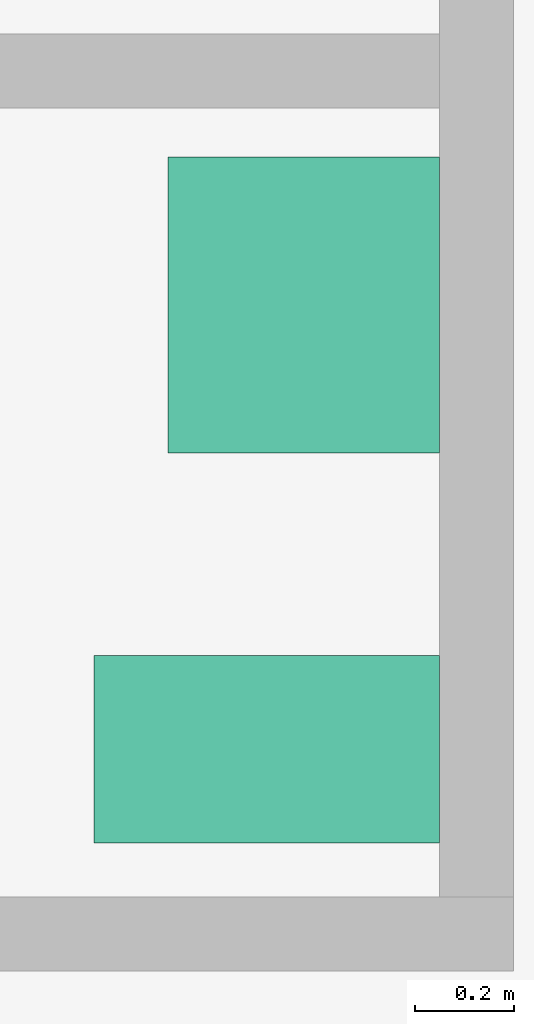
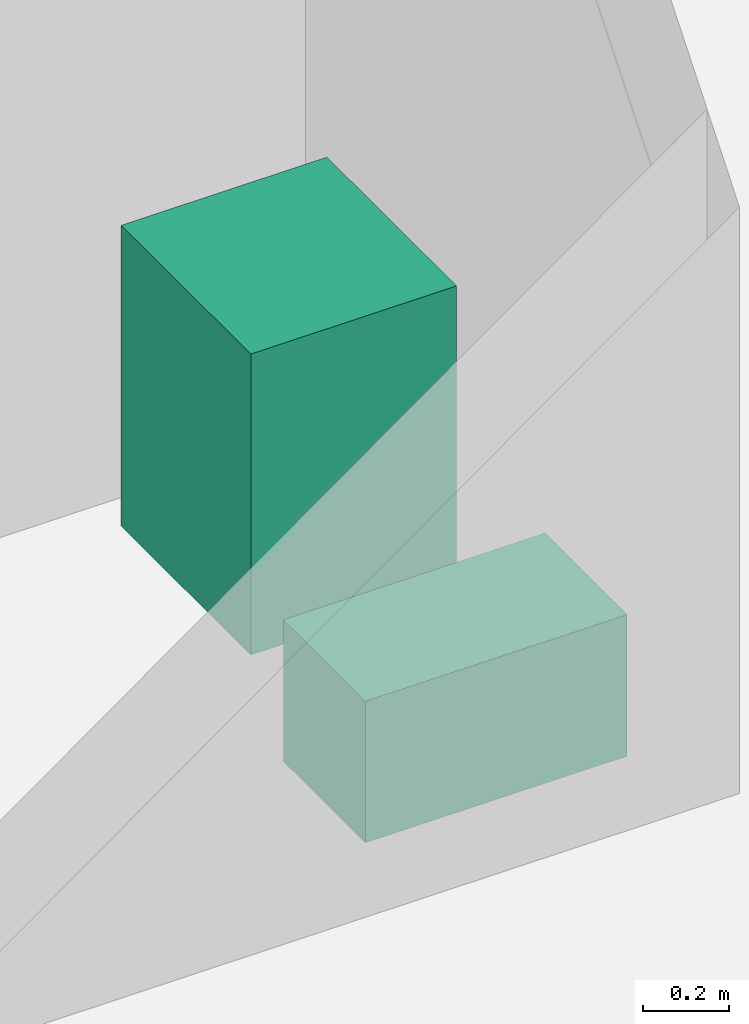
# One storey, part 15 of 15: 2 sanitary terminals.
"""IFC4 building model written with IfcOpenShell, lengths in metres."""

from ifc_helpers import new_model, si_unit, direction, frame, origin, origin_2d, place, context, subcontext, project, spatial, rectangle, extrude, material, element, save


model = new_model("IFC4")

# Units and contexts
model_context = context("Model", 3, precision=1e-05, world=origin(), true_north=direction((0.0, 1.0)))
body_context = subcontext(model_context, "Body", "Model", "MODEL_VIEW")
ifc_project = project(units=[si_unit("LENGTHUNIT", "METRE"), si_unit("AREAUNIT", "SQUARE_METRE"), si_unit("VOLUMEUNIT", "CUBIC_METRE"), si_unit("PLANEANGLEUNIT", "RADIAN"), si_unit("MASSUNIT", "GRAM", prefix="KILO")], contexts=[model_context])

# Site, building, storey
site_placement = place(None, origin())
site = spatial("IfcSite", under=ifc_project, at=site_placement, CompositionType="ELEMENT")
building_placement = place(site_placement, origin())
building = spatial("IfcBuilding", under=site, at=building_placement, Name="Kopane Lantern Tower", CompositionType="ELEMENT")
storey_placement = place(building_placement, frame((0.0, 0.0, 154.39990234375)))
storey = spatial("IfcBuildingStorey", under=building, at=storey_placement, Name="L40", CompositionType="ELEMENT", Elevation=154.39990234375)

# Sanitary terminals
ifc_material = material(Name="Vitreous china")
sanitary_terminal_1_placement = place(storey_placement, frame((34.550048828125, 28.35009765625, 0.000244140625), z_axis=(0.0, 0.0, 1.0), x_axis=(1.0, 0.0, 0.0)))
element("IfcSanitaryTerminal", 1, at=sanitary_terminal_1_placement, inside=storey, material=ifc_material, Name="WC pan L40", PredefinedType="TOILETPAN", context=body_context, shape_type="SweptSolid", body=[
    extrude(rectangle(XDim=0.699951171875, YDim=0.3798828125, at=origin_2d()), origin(), (0.0, 0.0, 1.0), 0.39990234375),
])
sanitary_terminal_2_placement = place(storey_placement, frame((34.625, 29.25, 0.0), z_axis=(0.0, 0.0, 1.0), x_axis=(1.0, 0.0, 0.0)))
element("IfcSanitaryTerminal", 2, at=sanitary_terminal_2_placement, inside=storey, material=ifc_material, Name="Wash basin L40", PredefinedType="WASHHANDBASIN", context=body_context, shape_type="SweptSolid", body=[
    extrude(rectangle(XDim=0.550048828125, YDim=0.60009765625, at=origin_2d()), origin(), (0.0, 0.0, 1.0), 0.85009765625),
])

save(model, "model.ifc")
